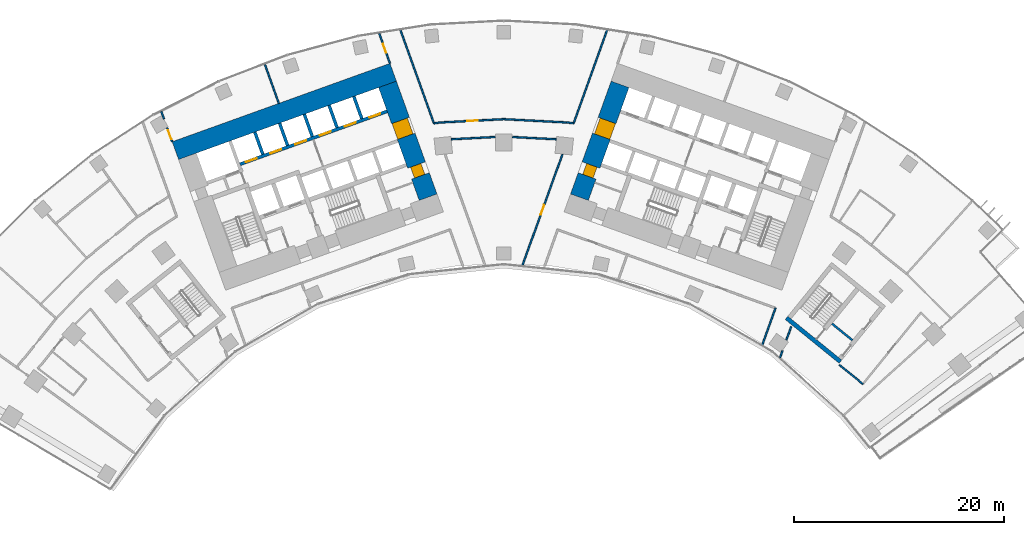
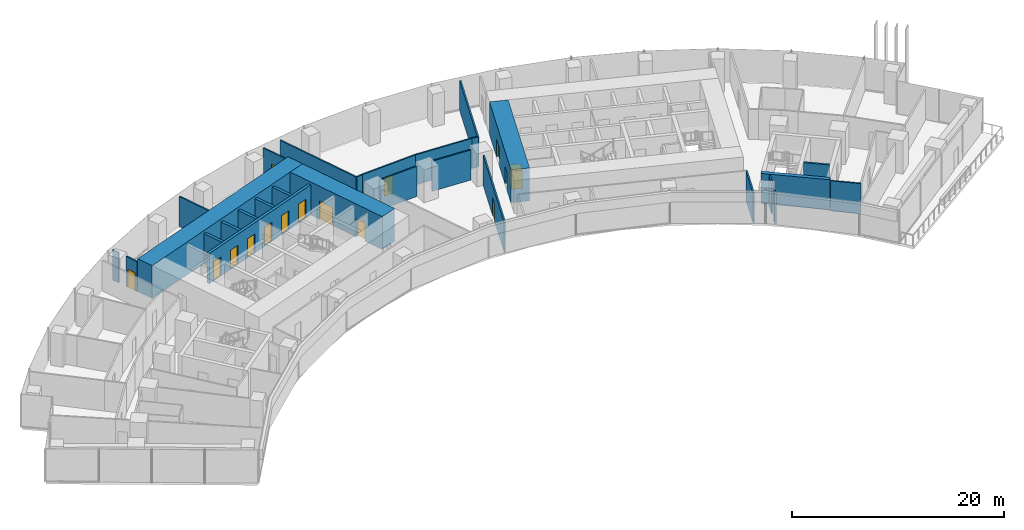
# One storey, part 16 of 21: 28 walls, 14 doors, 14 openings.
"""IFC4 building model written with IfcOpenShell, lengths in metres."""

from ifc_helpers import new_model, si_unit, direction, frame, frame_2d, origin, place, context, subcontext, project, spatial, rectangle, extrude, material, layer, layer_set, type_object, element, fill, save


model = new_model("IFC4")

# Units and contexts
model_context = context("Model", 3, precision=1e-05, world=origin(), true_north=direction((0.0, 1.0)))
body_context = subcontext(model_context, "Body", "Model", "MODEL_VIEW")
ifc_project = project(units=[si_unit("LENGTHUNIT", "METRE"), si_unit("AREAUNIT", "SQUARE_METRE"), si_unit("VOLUMEUNIT", "CUBIC_METRE"), si_unit("PLANEANGLEUNIT", "RADIAN"), si_unit("MASSUNIT", "GRAM", prefix="KILO")], contexts=[model_context])

# Site, building, storey
site_placement = place(None, origin())
site = spatial("IfcSite", under=ifc_project, at=site_placement, CompositionType="ELEMENT")
building_placement = place(site_placement, origin())
building = spatial("IfcBuilding", under=site, at=building_placement, Name="Stone Belt Terrace Tower", CompositionType="ELEMENT")
storey_placement = place(building_placement, frame((0.0, 0.0, 68.0)))
storey = spatial("IfcBuildingStorey", under=building, at=storey_placement, Name="L16", CompositionType="ELEMENT", Elevation=68.0)

# Wall
ifc_material_1 = material(Name="Concrete B80", Category="concrete")
ifc_layer_1 = layer(ifc_material_1, 1.800048828125)
ifc_layer_set_1 = layer_set([ifc_layer_1], Name="Core wall 1800 B80")
wall_type_1 = type_object("IfcWallType", Name="Core wall 1800 B80", PredefinedType="SHEAR", material=ifc_layer_set_1)
wall_1_placement = place(storey_placement, frame((-31.20947265625, 54.23583984375, 0.0), z_axis=(0.0, 0.0, 1.0), x_axis=(0.940922914687, 0.338620833112, 0.0)))
element("IfcWall", 1, at=wall_1_placement, inside=storey, type_object=wall_type_1, Name="Core A wall convex L16", PredefinedType="SHEAR", context=body_context, shape_type="SweptSolid", body=[
    extrude(rectangle(XDim=22.000244140625, YDim=1.800048828125, at=frame_2d((11.0, 0.0))), origin(), (0.0, 0.0, 1.0), 3.800048828125),
])

# Wall, openings, doors
wall_2_placement = place(storey_placement, frame((-7.19091796875, 49.8076171875, 0.0), z_axis=(0.0, 0.0, 1.0), x_axis=(-0.338632255135, 0.940918804033, 0.0)))
wall_2 = element("IfcWall", 2, at=wall_2_placement, inside=storey, type_object=wall_type_1, Name="Core A wall end_b L16", PredefinedType="SHEAR", context=body_context, shape_type="SweptSolid", body=[
    extrude(rectangle(XDim=11.39990234375, YDim=1.800048828125, at=frame_2d((5.699951171875, 0.0))), origin(), (0.0, 0.0, 1.0), 3.800048828125),
])
opening_1_placement = place(wall_2_placement, frame((6.14990234375, 0.0, 0.0)))
opening_1 = element("IfcOpeningElement", 3, at=opening_1_placement, cuts=wall_2, Name="Opening L16-C04", PredefinedType="OPENING", context=body_context, shape_type="SweptSolid", body=[
    extrude(rectangle(XDim=1.60009765625, YDim=2.10009765625, at=frame_2d((0.800048828125, 1.050048828125))), frame((0.0, 0.909912109375, 0.0), z_axis=(0.0, -1.0, 0.0), x_axis=(1.0, 0.0, 0.0)), (0.0, 0.0, 1.0), 1.820068359375),
])
opening_2_placement = place(wall_2_placement, frame((2.14990234375, 0.0, 0.0)))
opening_2 = element("IfcOpeningElement", 4, at=opening_2_placement, cuts=wall_2, Name="Opening L16-C10", PredefinedType="OPENING", context=body_context, shape_type="SweptSolid", body=[
    extrude(rectangle(XDim=1.10009765625, YDim=2.10009765625, at=frame_2d((0.550048828125, 1.050048828125))), frame((0.0, 0.909912109375, 0.0), z_axis=(0.0, -1.0, 0.0), x_axis=(1.0, 0.0, 0.0)), (0.0, 0.0, 1.0), 1.820068359375),
])
ifc_material_2 = material(Name="Timber door leaf", Category="wood")
door_type_1 = type_object("IfcDoorType", Name="Core room door 1100", OperationType="SINGLE_SWING_LEFT", PredefinedType="DOOR", material=ifc_material_2)
door_1_placement = place(opening_2_placement, origin())
door_1 = element("IfcDoor", 5, at=door_1_placement, inside=storey, type_object=door_type_1, Name="Door to Accessible WC core A", OperationType="SINGLE_SWING_LEFT", OverallHeight=2.10009765625, OverallWidth=1.10009765625, PredefinedType="DOOR", context=body_context, shape_type="SweptSolid", body=[
    extrude(rectangle(XDim=1.10009765625, YDim=2.10009765625, at=frame_2d((0.550048828125, 1.050048828125))), frame((0.0, 0.60498046875, 0.0), z_axis=(0.0, -1.0, 0.0), x_axis=(1.0, 0.0, 0.0)), (0.0, 0.0, 1.0), 1.050048828125),
])
fill(opening_2, door_1)
ifc_material_3 = material(Name="Glazed aluminium door leaf", Category="aluminium")
door_type_2 = type_object("IfcDoorType", Name="Lift lobby entrance door 1600", OperationType="DOUBLE_DOOR_SINGLE_SWING", PredefinedType="DOOR", material=ifc_material_3)
door_2_placement = place(opening_1_placement, origin())
door_2 = element("IfcDoor", 6, at=door_2_placement, inside=storey, type_object=door_type_2, Name="Lift lobby entrance door core A", OperationType="DOUBLE_DOOR_SINGLE_SWING", OverallHeight=2.10009765625, OverallWidth=1.60009765625, PredefinedType="DOOR", context=body_context, shape_type="SweptSolid", body=[
    extrude(rectangle(XDim=1.60009765625, YDim=2.10009765625, at=frame_2d((0.800048828125, 1.050048828125))), frame((0.0, 0.85498046875, 0.0), z_axis=(0.0, -1.0, 0.0), x_axis=(1.0, 0.0, 0.0)), (0.0, 0.0, 1.0), 1.550048828125),
])
fill(opening_1, door_2)

wall_3_placement = place(storey_placement, frame((7.19091796875, 49.8076171875, 0.0), z_axis=(0.0, 0.0, 1.0), x_axis=(0.338632255135, 0.940918804033, 0.0)))
wall_3 = element("IfcWall", 7, at=wall_3_placement, inside=storey, type_object=wall_type_1, Name="Core B wall end_a L16", PredefinedType="SHEAR", context=body_context, shape_type="SweptSolid", body=[
    extrude(rectangle(XDim=11.39990234375, YDim=1.800048828125, at=frame_2d((5.699951171875, 0.0))), origin(), (0.0, 0.0, 1.0), 3.800048828125),
])
opening_3_placement = place(wall_3_placement, frame((6.14990234375, 0.0, 0.0)))
opening_3 = element("IfcOpeningElement", 8, at=opening_3_placement, cuts=wall_3, Name="Opening L16-C15", PredefinedType="OPENING", context=body_context, shape_type="SweptSolid", body=[
    extrude(rectangle(XDim=1.60009765625, YDim=2.10009765625, at=frame_2d((0.800048828125, 1.050048828125))), frame((0.0, 0.909912109375, 0.0), z_axis=(0.0, -1.0, 0.0), x_axis=(1.0, 0.0, 0.0)), (0.0, 0.0, 1.0), 1.820068359375),
])
opening_4_placement = place(wall_3_placement, frame((2.14990234375, 0.0, 0.0)))
opening_4 = element("IfcOpeningElement", 9, at=opening_4_placement, cuts=wall_3, Name="Opening L16-C21", PredefinedType="OPENING", context=body_context, shape_type="SweptSolid", body=[
    extrude(rectangle(XDim=1.10009765625, YDim=2.10009765625, at=frame_2d((0.550048828125, 1.050048828125))), frame((0.0, 0.909912109375, 0.0), z_axis=(0.0, -1.0, 0.0), x_axis=(1.0, 0.0, 0.0)), (0.0, 0.0, 1.0), 1.820068359375),
])
door_3_placement = place(opening_4_placement, origin())
door_3 = element("IfcDoor", 10, at=door_3_placement, inside=storey, type_object=door_type_1, Name="Door to Accessible WC core B", OperationType="SINGLE_SWING_RIGHT", OverallHeight=2.10009765625, OverallWidth=1.10009765625, PredefinedType="DOOR", context=body_context, shape_type="SweptSolid", body=[
    extrude(rectangle(XDim=1.10009765625, YDim=2.10009765625, at=frame_2d((0.550048828125, 1.050048828125))), frame((0.0, 0.44482421875, 0.0), z_axis=(0.0, -1.0, 0.0), x_axis=(1.0, 0.0, 0.0)), (0.0, 0.0, 1.0), 1.050048828125),
])
fill(opening_4, door_3)
door_4_placement = place(opening_3_placement, origin())
door_4 = element("IfcDoor", 11, at=door_4_placement, inside=storey, type_object=door_type_2, Name="Lift lobby entrance door core B", OperationType="DOUBLE_DOOR_SINGLE_SWING", OverallHeight=2.10009765625, OverallWidth=1.60009765625, PredefinedType="DOOR", context=body_context, shape_type="SweptSolid", body=[
    extrude(rectangle(XDim=1.60009765625, YDim=2.10009765625, at=frame_2d((0.800048828125, 1.050048828125))), frame((0.0, 0.69482421875, 0.0), z_axis=(0.0, -1.0, 0.0), x_axis=(1.0, 0.0, 0.0)), (0.0, 0.0, 1.0), 1.550048828125),
])
fill(opening_3, door_4)

ifc_layer_2 = layer(ifc_material_1, 0.300048828125)
ifc_layer_set_2 = layer_set([ifc_layer_2], Name="Lift shaft wall 300")
wall_type_2 = type_object("IfcWallType", Name="Lift shaft wall 300", PredefinedType="SHEAR", material=ifc_layer_set_2)
wall_4_placement = place(storey_placement, frame((-25.05810546875, 52.9423828125, 0.0), z_axis=(0.0, 0.0, 1.0), x_axis=(0.940918215764, 0.338633889685, 0.0)))
wall_4 = element("IfcWall", 12, at=wall_4_placement, inside=storey, type_object=wall_type_2, Name="Core A wall", PredefinedType="SHEAR", context=body_context, shape_type="SweptSolid", body=[
    extrude(rectangle(XDim=14.850341796875, YDim=0.300048828125, at=frame_2d((7.42529296875, 0.0))), origin(), (0.0, 0.0, 1.0), 3.47998046875),
])
opening_5_placement = place(wall_4_placement, frame((0.570068359375, 0.0, 0.0)))
opening_5 = element("IfcOpeningElement", 13, at=opening_5_placement, cuts=wall_4, Name="Opening L16-LD01", PredefinedType="OPENING", context=body_context, shape_type="SweptSolid", body=[
    extrude(rectangle(XDim=1.10009765625, YDim=2.199951171875, at=frame_2d((0.550048828125, 1.10009765625))), frame((0.0, 0.159912109375, 0.0), z_axis=(0.0, -1.0, 0.0), x_axis=(1.0, 0.0, 0.0)), (0.0, 0.0, 1.0), 0.320068359375),
])
opening_6_placement = place(wall_4_placement, frame((3.070068359375, 0.0, 0.0)))
opening_6 = element("IfcOpeningElement", 14, at=opening_6_placement, cuts=wall_4, Name="Opening L16-LD02", PredefinedType="OPENING", context=body_context, shape_type="SweptSolid", body=[
    extrude(rectangle(XDim=1.10009765625, YDim=2.199951171875, at=frame_2d((0.550048828125, 1.10009765625))), frame((0.0, 0.159912109375, 0.0), z_axis=(0.0, -1.0, 0.0), x_axis=(1.0, 0.0, 0.0)), (0.0, 0.0, 1.0), 0.320068359375),
])
opening_7_placement = place(wall_4_placement, frame((5.570068359375, 0.0, 0.0)))
opening_7 = element("IfcOpeningElement", 15, at=opening_7_placement, cuts=wall_4, Name="Opening L16-LD03", PredefinedType="OPENING", context=body_context, shape_type="SweptSolid", body=[
    extrude(rectangle(XDim=1.10009765625, YDim=2.199951171875, at=frame_2d((0.550048828125, 1.10009765625))), frame((0.0, 0.159912109375, 0.0), z_axis=(0.0, -1.0, 0.0), x_axis=(1.0, 0.0, 0.0)), (0.0, 0.0, 1.0), 0.320068359375),
])
opening_8_placement = place(wall_4_placement, frame((8.070068359375, 0.0, 0.0)))
opening_8 = element("IfcOpeningElement", 16, at=opening_8_placement, cuts=wall_4, Name="Opening L16-LD04", PredefinedType="OPENING", context=body_context, shape_type="SweptSolid", body=[
    extrude(rectangle(XDim=1.10009765625, YDim=2.199951171875, at=frame_2d((0.550048828125, 1.10009765625))), frame((0.0, 0.159912109375, 0.0), z_axis=(0.0, -1.0, 0.0), x_axis=(1.0, 0.0, 0.0)), (0.0, 0.0, 1.0), 0.320068359375),
])
opening_9_placement = place(wall_4_placement, frame((10.570068359375, 0.0, 0.0)))
opening_9 = element("IfcOpeningElement", 17, at=opening_9_placement, cuts=wall_4, Name="Opening L16-LD05", PredefinedType="OPENING", context=body_context, shape_type="SweptSolid", body=[
    extrude(rectangle(XDim=1.10009765625, YDim=2.199951171875, at=frame_2d((0.550048828125, 1.10009765625))), frame((0.0, 0.159912109375, 0.0), z_axis=(0.0, -1.0, 0.0), x_axis=(1.0, 0.0, 0.0)), (0.0, 0.0, 1.0), 0.320068359375),
])
opening_10_placement = place(wall_4_placement, frame((13.070068359375, 0.0, 0.0)))
opening_10 = element("IfcOpeningElement", 18, at=opening_10_placement, cuts=wall_4, Name="Opening L16-LD06", PredefinedType="OPENING", context=body_context, shape_type="SweptSolid", body=[
    extrude(rectangle(XDim=1.10009765625, YDim=2.199951171875, at=frame_2d((0.550048828125, 1.10009765625))), frame((0.0, 0.159912109375, 0.0), z_axis=(0.0, -1.0, 0.0), x_axis=(1.0, 0.0, 0.0)), (0.0, 0.0, 1.0), 0.320068359375),
])
ifc_material_4 = material(Name="Stainless steel door leaf", Category="steel")
door_type_3 = type_object("IfcDoorType", Name="Landing door 1100", OperationType="SLIDING_TO_LEFT", PredefinedType="DOOR", material=ifc_material_4)
door_5_placement = place(opening_5_placement, origin())
door_5 = element("IfcDoor", 19, at=door_5_placement, inside=storey, type_object=door_type_3, Name="Landing door LR1 core A", OperationType="SLIDING_TO_LEFT", OverallHeight=2.199951171875, OverallWidth=1.10009765625, PredefinedType="DOOR", context=body_context, shape_type="SweptSolid", body=[
    extrude(rectangle(XDim=1.10009765625, YDim=2.199951171875, at=frame_2d((0.550048828125, 1.10009765625))), frame((0.0, 0.02490234375, 0.0), z_axis=(0.0, -1.0, 0.0), x_axis=(1.0, 0.0, 0.0)), (0.0, 0.0, 1.0), 0.050048828125),
])
fill(opening_5, door_5)
door_6_placement = place(opening_6_placement, origin())
door_6 = element("IfcDoor", 20, at=door_6_placement, inside=storey, type_object=door_type_3, Name="Landing door LR2 core A", OperationType="SLIDING_TO_LEFT", OverallHeight=2.199951171875, OverallWidth=1.10009765625, PredefinedType="DOOR", context=body_context, shape_type="SweptSolid", body=[
    extrude(rectangle(XDim=1.10009765625, YDim=2.199951171875, at=frame_2d((0.550048828125, 1.10009765625))), frame((0.0, 0.02490234375, 0.0), z_axis=(0.0, -1.0, 0.0), x_axis=(1.0, 0.0, 0.0)), (0.0, 0.0, 1.0), 0.050048828125),
])
fill(opening_6, door_6)
door_7_placement = place(opening_7_placement, origin())
door_7 = element("IfcDoor", 21, at=door_7_placement, inside=storey, type_object=door_type_3, Name="Landing door LR3 core A", OperationType="SLIDING_TO_LEFT", OverallHeight=2.199951171875, OverallWidth=1.10009765625, PredefinedType="DOOR", context=body_context, shape_type="SweptSolid", body=[
    extrude(rectangle(XDim=1.10009765625, YDim=2.199951171875, at=frame_2d((0.550048828125, 1.10009765625))), frame((0.0, 0.02490234375, 0.0), z_axis=(0.0, -1.0, 0.0), x_axis=(1.0, 0.0, 0.0)), (0.0, 0.0, 1.0), 0.050048828125),
])
fill(opening_7, door_7)
door_8_placement = place(opening_8_placement, origin())
door_8 = element("IfcDoor", 22, at=door_8_placement, inside=storey, type_object=door_type_3, Name="Landing door LR4 core A", OperationType="SLIDING_TO_LEFT", OverallHeight=2.199951171875, OverallWidth=1.10009765625, PredefinedType="DOOR", context=body_context, shape_type="SweptSolid", body=[
    extrude(rectangle(XDim=1.10009765625, YDim=2.199951171875, at=frame_2d((0.550048828125, 1.10009765625))), frame((0.0, 0.02490234375, 0.0), z_axis=(0.0, -1.0, 0.0), x_axis=(1.0, 0.0, 0.0)), (0.0, 0.0, 1.0), 0.050048828125),
])
fill(opening_8, door_8)
door_9_placement = place(opening_9_placement, origin())
door_9 = element("IfcDoor", 23, at=door_9_placement, inside=storey, type_object=door_type_3, Name="Landing door LR5 core A", OperationType="SLIDING_TO_LEFT", OverallHeight=2.199951171875, OverallWidth=1.10009765625, PredefinedType="DOOR", context=body_context, shape_type="SweptSolid", body=[
    extrude(rectangle(XDim=1.10009765625, YDim=2.199951171875, at=frame_2d((0.550048828125, 1.10009765625))), frame((0.0, 0.02490234375, 0.0), z_axis=(0.0, -1.0, 0.0), x_axis=(1.0, 0.0, 0.0)), (0.0, 0.0, 1.0), 0.050048828125),
])
fill(opening_9, door_9)
door_10_placement = place(opening_10_placement, origin())
door_10 = element("IfcDoor", 24, at=door_10_placement, inside=storey, type_object=door_type_3, Name="Landing door LR6 core A", OperationType="SLIDING_TO_LEFT", OverallHeight=2.199951171875, OverallWidth=1.10009765625, PredefinedType="DOOR", context=body_context, shape_type="SweptSolid", body=[
    extrude(rectangle(XDim=1.10009765625, YDim=2.199951171875, at=frame_2d((0.550048828125, 1.10009765625))), frame((0.0, 0.02490234375, 0.0), z_axis=(0.0, -1.0, 0.0), x_axis=(1.0, 0.0, 0.0)), (0.0, 0.0, 1.0), 0.050048828125),
])
fill(opening_10, door_10)

# Walls
wall_5_placement = place(storey_placement, frame((-22.897705078125, 53.87939453125, 0.0), z_axis=(0.0, 0.0, 1.0), x_axis=(-0.338535034312, 0.940953787677, 0.0)))
element("IfcWall", 25, at=wall_5_placement, inside=storey, type_object=wall_type_2, Name="Core A wall", PredefinedType="SHEAR", context=body_context, shape_type="SweptSolid", body=[
    extrude(rectangle(XDim=2.25, YDim=0.300048828125, at=frame_2d((1.125, 0.0))), origin(), (0.0, 0.0, 1.0), 3.47998046875),
])
wall_6_placement = place(storey_placement, frame((-20.54541015625, 54.72607421875, 0.0), z_axis=(0.0, 0.0, 1.0), x_axis=(-0.338569601369, 0.940941350472, 0.0)))
element("IfcWall", 26, at=wall_6_placement, inside=storey, type_object=wall_type_2, Name="Core A wall", PredefinedType="SHEAR", context=body_context, shape_type="SweptSolid", body=[
    extrude(rectangle(XDim=2.249755859375, YDim=0.300048828125, at=frame_2d((1.125, 0.0))), origin(), (0.0, 0.0, 1.0), 3.47998046875),
])
wall_7_placement = place(storey_placement, frame((-18.193115234375, 55.572509765625, 0.0), z_axis=(0.0, 0.0, 1.0), x_axis=(-0.338535034312, 0.940953787677, 0.0)))
element("IfcWall", 27, at=wall_7_placement, inside=storey, type_object=wall_type_2, Name="Core A wall", PredefinedType="SHEAR", context=body_context, shape_type="SweptSolid", body=[
    extrude(rectangle(XDim=2.25, YDim=0.300048828125, at=frame_2d((1.125, 0.0))), origin(), (0.0, 0.0, 1.0), 3.47998046875),
])
wall_8_placement = place(storey_placement, frame((-15.8408203125, 56.419189453125, 0.0), z_axis=(0.0, 0.0, 1.0), x_axis=(-0.338569601369, 0.940941350472, 0.0)))
element("IfcWall", 28, at=wall_8_placement, inside=storey, type_object=wall_type_2, Name="Core A wall", PredefinedType="SHEAR", context=body_context, shape_type="SweptSolid", body=[
    extrude(rectangle(XDim=2.249755859375, YDim=0.300048828125, at=frame_2d((1.125, 0.0))), origin(), (0.0, 0.0, 1.0), 3.47998046875),
])
wall_9_placement = place(storey_placement, frame((-13.48828125, 57.265625, 0.0), z_axis=(0.0, 0.0, 1.0), x_axis=(-0.338631098537, 0.940919220286, 0.0)))
element("IfcWall", 29, at=wall_9_placement, inside=storey, type_object=wall_type_2, Name="Core A wall", PredefinedType="SHEAR", context=body_context, shape_type="SweptSolid", body=[
    extrude(rectangle(XDim=2.250244140625, YDim=0.300048828125, at=frame_2d((1.125, 0.0))), origin(), (0.0, 0.0, 1.0), 3.47998046875),
])
ifc_material_5 = material(Name="Gypsum board partition")
ifc_layer_3 = layer(ifc_material_5, 0.14990234375)
ifc_layer_set_3 = layer_set([ifc_layer_3], Name="PARTITION 150 EI 60")
wall_type_3 = type_object("IfcWallType", Name="PARTITION 150 EI 60", PredefinedType="PARTITIONING", material=ifc_layer_set_3)
wall_10_placement = place(storey_placement, frame((-32.5458984375, 57.947998046875, 0.0), z_axis=(0.0, 0.0, 1.0), x_axis=(0.338960201827, -0.940800712998, 0.0)))
element("IfcWall", 30, at=wall_10_placement, inside=storey, type_object=wall_type_3, Name="L16/wall/i002", PredefinedType="PARTITIONING", context=body_context, shape_type="SweptSolid", body=[
    extrude(rectangle(XDim=0.754150390625, YDim=0.14990234375, at=frame_2d((0.376953125, 0.0))), origin(), (0.0, 0.0, 1.0), 3.47998046875),
])

# Wall, opening, door
wall_11_placement = place(storey_placement, frame((-31.98681640625, 56.39599609375, 0.0), z_axis=(0.0, 0.0, 1.0), x_axis=(0.338861945182, -0.940836107995, 0.0)))
wall_11 = element("IfcWall", 31, at=wall_11_placement, inside=storey, type_object=wall_type_3, Name="L16/wall/i003", PredefinedType="PARTITIONING", context=body_context, shape_type="SweptSolid", body=[
    extrude(rectangle(XDim=1.3955078125, YDim=0.14990234375, at=frame_2d((0.69775390625, 0.0))), origin(), (0.0, 0.0, 1.0), 3.47998046875),
])
opening_11_placement = place(wall_11_placement, frame((0.247802734375, 0.0, 0.0)))
opening_11 = element("IfcOpeningElement", 32, at=opening_11_placement, cuts=wall_11, Name="Opening D-A5-03", PredefinedType="OPENING", context=body_context, shape_type="SweptSolid", body=[
    extrude(rectangle(XDim=0.89990234375, YDim=2.10009765625, at=frame_2d((0.449951171875, 1.050048828125))), frame((0.0, 0.0849609375, 0.0), z_axis=(0.0, -1.0, 0.0), x_axis=(1.0, 0.0, 0.0)), (0.0, 0.0, 1.0), 0.169921875),
])
door_type_4 = type_object("IfcDoorType", Name="OFFICE DOOR 900 X 2100", OperationType="NOTDEFINED", PredefinedType="DOOR", material=ifc_material_2)
door_11_placement = place(opening_11_placement, origin())
door_11 = element("IfcDoor", 33, at=door_11_placement, inside=storey, type_object=door_type_4, Name="L16/door/i03", OperationType="SINGLE_SWING_RIGHT", OverallHeight=2.10009765625, OverallWidth=0.89990234375, PredefinedType="DOOR", context=body_context, shape_type="SweptSolid", body=[
    extrude(rectangle(XDim=0.89990234375, YDim=2.10009765625, at=frame_2d((0.449951171875, 1.050048828125))), frame((0.0, 0.02490234375, 0.0), z_axis=(0.0, -1.0, 0.0), x_axis=(1.0, 0.0, 0.0)), (0.0, 0.0, 1.0), 0.050048828125),
])
fill(opening_11, door_11)

wall_12_placement = place(storey_placement, frame((-10.81396484375, 62.531982421875, 0.0), z_axis=(0.0, 0.0, 1.0), x_axis=(-0.338526810165, 0.940956746508, 0.0)))
wall_12 = element("IfcWall", 34, at=wall_12_placement, inside=storey, type_object=wall_type_3, Name="L16/wall/i009", PredefinedType="PARTITIONING", context=body_context, shape_type="SweptSolid", body=[
    extrude(rectangle(XDim=3.006591796875, YDim=0.14990234375, at=frame_2d((1.50341796875, 0.0))), origin(), (0.0, 0.0, 1.0), 3.47998046875),
])
opening_12_placement = place(wall_12_placement, frame((1.05322265625, 0.0, 0.0)))
opening_12 = element("IfcOpeningElement", 35, at=opening_12_placement, cuts=wall_12, Name="Opening D-A5-04", PredefinedType="OPENING", context=body_context, shape_type="SweptSolid", body=[
    extrude(rectangle(XDim=0.89990234375, YDim=2.10009765625, at=frame_2d((0.449951171875, 1.050048828125))), frame((0.0, 0.0849609375, 0.0), z_axis=(0.0, -1.0, 0.0), x_axis=(1.0, 0.0, 0.0)), (0.0, 0.0, 1.0), 0.169921875),
])
door_12_placement = place(opening_12_placement, origin())
door_12 = element("IfcDoor", 36, at=door_12_placement, inside=storey, type_object=door_type_4, Name="L16/door/i04", OperationType="SINGLE_SWING_RIGHT", OverallHeight=2.10009765625, OverallWidth=0.89990234375, PredefinedType="DOOR", context=body_context, shape_type="SweptSolid", body=[
    extrude(rectangle(XDim=0.89990234375, YDim=2.10009765625, at=frame_2d((0.449951171875, 1.050048828125))), frame((0.0, 0.02490234375, 0.0), z_axis=(0.0, -1.0, 0.0), x_axis=(1.0, 0.0, 0.0)), (0.0, 0.0, 1.0), 0.050048828125),
])
fill(opening_12, door_12)

# Walls
wall_13_placement = place(storey_placement, frame((-9.8212890625, 65.68115234375, 0.0), z_axis=(0.0, 0.0, 1.0), x_axis=(0.338561511742, -0.940944261243, 0.0)))
element("IfcWall", 37, at=wall_13_placement, inside=storey, type_object=wall_type_3, Name="L16/wall/i011", PredefinedType="PARTITIONING", context=body_context, shape_type="SweptSolid", body=[
    extrude(rectangle(XDim=9.4140625, YDim=0.14990234375, at=frame_2d((4.70703125, 0.0))), origin(), (0.0, 0.0, 1.0), 3.47998046875),
])
wall_14_placement = place(storey_placement, frame((-22.700927734375, 62.419189453125, 0.0), z_axis=(0.0, 0.0, 1.0), x_axis=(0.338604747602, -0.94092870341, 0.0)))
element("IfcWall", 38, at=wall_14_placement, inside=storey, type_object=wall_type_3, Name="L16/wall/i016", PredefinedType="PARTITIONING", context=body_context, shape_type="SweptSolid", body=[
    extrude(rectangle(XDim=3.918701171875, YDim=0.14990234375, at=frame_2d((1.95947265625, 0.0))), origin(), (0.0, 0.0, 1.0), 3.47998046875),
])

# Wall, opening, door
wall_15_placement = place(storey_placement, frame((1.771484375, 43.313720703125, 0.0), z_axis=(0.0, 0.0, 1.0), x_axis=(0.338622486498, 0.940922319662, 0.0)))
wall_15 = element("IfcWall", 39, at=wall_15_placement, inside=storey, type_object=wall_type_3, Name="L16/wall/i019", PredefinedType="PARTITIONING", context=body_context, shape_type="SweptSolid", body=[
    extrude(rectangle(XDim=11.232177734375, YDim=0.14990234375, at=frame_2d((5.6162109375, 0.0))), origin(), (0.0, 0.0, 1.0), 3.47998046875),
])
opening_13_placement = place(wall_15_placement, frame((5.1162109375, 0.0, 0.0)))
opening_13 = element("IfcOpeningElement", 40, at=opening_13_placement, cuts=wall_15, Name="Opening D-A5-24", PredefinedType="OPENING", context=body_context, shape_type="SweptSolid", body=[
    extrude(rectangle(XDim=1.0, YDim=2.10009765625, at=frame_2d((0.5, 1.050048828125))), frame((0.0, 0.0849609375, 0.0), z_axis=(0.0, -1.0, 0.0), x_axis=(1.0, 0.0, 0.0)), (0.0, 0.0, 1.0), 0.169921875),
])
ifc_material_6 = material(Name="Timber fire door leaf", Category="wood")
door_type_5 = type_object("IfcDoorType", Name="TENANCY ENTRANCE DOOR 1000 X 2100", OperationType="NOTDEFINED", PredefinedType="DOOR", material=ifc_material_6)
door_13_placement = place(opening_13_placement, origin())
door_13 = element("IfcDoor", 41, at=door_13_placement, inside=storey, type_object=door_type_5, Name="L16/door/i24", OperationType="SINGLE_SWING_LEFT", OverallHeight=2.10009765625, OverallWidth=1.0, PredefinedType="DOOR", context=body_context, shape_type="SweptSolid", body=[
    extrude(rectangle(XDim=1.0, YDim=2.10009765625, at=frame_2d((0.5, 1.050048828125))), frame((0.0, 0.02490234375, 0.0), z_axis=(0.0, -1.0, 0.0), x_axis=(1.0, 0.0, 0.0)), (0.0, 0.0, 1.0), 0.050048828125),
])
fill(opening_13, door_13)

# Walls
wall_16_placement = place(storey_placement, frame((6.634033203125, 56.822998046875, 0.0), z_axis=(0.0, 0.0, 1.0), x_axis=(0.338561511742, 0.940944261243, 0.0)))
element("IfcWall", 42, at=wall_16_placement, inside=storey, type_object=wall_type_3, Name="L16/wall/i020", PredefinedType="PARTITIONING", context=body_context, shape_type="SweptSolid", body=[
    extrude(rectangle(XDim=9.4140625, YDim=0.14990234375, at=frame_2d((4.70703125, 0.0))), origin(), (0.0, 0.0, 1.0), 3.47998046875),
])
wall_17_placement = place(storey_placement, frame((24.56494140625, 35.771728515625, 0.0), z_axis=(0.0, 0.0, 1.0), x_axis=(0.338392582605, 0.941005026574, 0.0)))
element("IfcWall", 43, at=wall_17_placement, inside=storey, type_object=wall_type_3, Name="L16/wall/i021", PredefinedType="PARTITIONING", context=body_context, shape_type="SweptSolid", body=[
    extrude(rectangle(XDim=3.729248046875, YDim=0.14990234375, at=frame_2d((1.86474609375, 0.0))), origin(), (0.0, 0.0, 1.0), 3.47998046875),
])
wall_18_placement = place(storey_placement, frame((27.320068359375, 37.52099609375, 0.0), z_axis=(0.0, 0.0, 1.0), x_axis=(-0.339003916963, -0.940784961765, 0.0)))
element("IfcWall", 44, at=wall_18_placement, inside=storey, type_object=wall_type_3, Name="L16/wall/i024", PredefinedType="PARTITIONING", context=body_context, shape_type="SweptSolid", body=[
    extrude(rectangle(XDim=1.36767578125, YDim=0.14990234375, at=frame_2d((0.683837890625, 0.0))), origin(), (0.0, 0.0, 1.0), 3.47998046875),
])
wall_19_placement = place(storey_placement, frame((26.490478515625, 35.21923828125, 0.0), z_axis=(0.0, 0.0, 1.0), x_axis=(-0.338920531705, -0.940815004764, 0.0)))
element("IfcWall", 45, at=wall_19_placement, inside=storey, type_object=wall_type_3, Name="L16/wall/i025", PredefinedType="PARTITIONING", context=body_context, shape_type="SweptSolid", body=[
    extrude(rectangle(XDim=0.68798828125, YDim=0.14990234375, at=frame_2d((0.343994140625, 0.0))), origin(), (0.0, 0.0, 1.0), 3.47998046875),
])
wall_20_placement = place(storey_placement, frame((34.133056640625, 32.055908203125, 0.0), z_axis=(0.0, 0.0, 1.0), x_axis=(-0.776369956068, 0.630277471686, 0.0)))
element("IfcWall", 46, at=wall_20_placement, inside=storey, type_object=wall_type_3, Name="L16/wall/i069", PredefinedType="PARTITIONING", context=body_context, shape_type="SweptSolid", body=[
    extrude(rectangle(XDim=2.8876953125, YDim=0.14990234375, at=frame_2d((1.44384765625, 0.0))), origin(), (0.0, 0.0, 1.0), 3.47998046875),
])
for number, where, z_axis, x_axis, name in (
    (47, (4.979248046875, 55.314453125, 0.0), (0.0, 0.0, 1.0), (-0.998634659291, 0.052238082501, 0.0), "L16/wall/i075"),
    (48, (-0.830078125, 55.531494140625, 0.0), (0.0, 0.0, 1.0), (-0.998634659291, -0.052238082501, 0.0), "L16/wall/i076"),
):
    element("IfcWall", number, at=place(storey_placement, frame(where, z_axis=z_axis, x_axis=x_axis)), inside=storey, type_object=wall_type_3, Name=name, PredefinedType="PARTITIONING", context=body_context, shape_type="SweptSolid", body=[
        extrude(rectangle(XDim=4.15478515625, YDim=0.14990234375, at=frame_2d((2.077392578125, 0.0))), origin(), (0.0, 0.0, 1.0), 3.47998046875),
    ])
wall_21_placement = place(storey_placement, frame((-6.635986328125, 56.8291015625, 0.0), z_axis=(0.0, 0.0, 1.0), x_axis=(0.992042541351, 0.125903122083, 0.0)))
element("IfcWall", 49, at=wall_21_placement, inside=storey, type_object=wall_type_3, Name="L16/wall/i077", PredefinedType="PARTITIONING", context=body_context, shape_type="SweptSolid", body=[
    extrude(rectangle(XDim=0.6591796875, YDim=0.14990234375, at=frame_2d((0.32958984375, 0.0))), origin(), (0.0, 0.0, 1.0), 3.47998046875),
])

# Wall, opening, door
wall_22_placement = place(storey_placement, frame((-5.98193359375, 56.912109375, 0.0), z_axis=(0.0, 0.0, 1.0), x_axis=(0.998633994648, 0.052250786921, 0.0)))
wall_22 = element("IfcWall", 50, at=wall_22_placement, inside=storey, type_object=wall_type_3, Name="L16/wall/i078", PredefinedType="PARTITIONING", context=body_context, shape_type="SweptSolid", body=[
    extrude(rectangle(XDim=5.990234375, YDim=0.14990234375, at=frame_2d((2.9951171875, 0.0))), origin(), (0.0, 0.0, 1.0), 3.47998046875),
])
opening_14_placement = place(wall_22_placement, frame((2.4951171875, 0.0, 0.0)))
opening_14 = element("IfcOpeningElement", 51, at=opening_14_placement, cuts=wall_22, Name="Opening D-A5-25", PredefinedType="OPENING", context=body_context, shape_type="SweptSolid", body=[
    extrude(rectangle(XDim=1.0, YDim=2.10009765625, at=frame_2d((0.5, 1.050048828125))), frame((0.0, 0.0849609375, 0.0), z_axis=(0.0, -1.0, 0.0), x_axis=(1.0, 0.0, 0.0)), (0.0, 0.0, 1.0), 0.169921875),
])
door_14_placement = place(opening_14_placement, origin())
door_14 = element("IfcDoor", 52, at=door_14_placement, inside=storey, type_object=door_type_5, Name="L16/door/i25", OperationType="SINGLE_SWING_RIGHT", OverallHeight=2.10009765625, OverallWidth=1.0, PredefinedType="DOOR", context=body_context, shape_type="SweptSolid", body=[
    extrude(rectangle(XDim=1.0, YDim=2.10009765625, at=frame_2d((0.5, 1.050048828125))), frame((0.0, 0.02490234375, 0.0), z_axis=(0.0, -1.0, 0.0), x_axis=(1.0, 0.0, 0.0)), (0.0, 0.0, 1.0), 0.050048828125),
])
fill(opening_14, door_14)

# Walls
wall_23_placement = place(storey_placement, frame((0.0, 57.22509765625, 0.0), z_axis=(0.0, 0.0, 1.0), x_axis=(0.998633994648, -0.052250786921, 0.0)))
element("IfcWall", 53, at=wall_23_placement, inside=storey, type_object=wall_type_3, Name="L16/wall/i079", PredefinedType="PARTITIONING", context=body_context, shape_type="SweptSolid", body=[
    extrude(rectangle(XDim=5.990234375, YDim=0.14990234375, at=frame_2d((2.9951171875, 0.0))), origin(), (0.0, 0.0, 1.0), 3.47998046875),
])
wall_24_placement = place(storey_placement, frame((5.98193359375, 56.912109375, 0.0), z_axis=(0.0, 0.0, 1.0), x_axis=(0.992042541351, -0.125903122083, 0.0)))
element("IfcWall", 54, at=wall_24_placement, inside=storey, type_object=wall_type_3, Name="L16/wall/i080", PredefinedType="PARTITIONING", context=body_context, shape_type="SweptSolid", body=[
    extrude(rectangle(XDim=0.6591796875, YDim=0.14990234375, at=frame_2d((0.32958984375, 0.0))), origin(), (0.0, 0.0, 1.0), 3.47998046875),
])
ifc_material_7 = material(Name="Concrete masonry block", Category="masonry")
ifc_layer_4 = layer(ifc_material_7, 0.199951171875)
ifc_layer_set_4 = layer_set([ifc_layer_4], Name="Rated lobby wall 200")
wall_type_4 = type_object("IfcWallType", Name="Rated lobby wall 200", PredefinedType="PARTITIONING", material=ifc_layer_set_4)
wall_25_placement = place(storey_placement, frame((31.190673828125, 37.79296875, 0.0), z_axis=(0.0, 0.0, 1.0), x_axis=(0.776370830301, -0.630276394813, 0.0)))
element("IfcWall", 55, at=wall_25_placement, inside=storey, type_object=wall_type_4, Name="Exit stair ST3B wall", PredefinedType="PARTITIONING", context=body_context, shape_type="SweptSolid", body=[
    extrude(rectangle(XDim=2.5, YDim=0.199951171875, at=frame_2d((1.25, 0.0))), origin(), (0.0, 0.0, 1.0), 3.47998046875),
])
ifc_layer_5 = layer(ifc_material_1, 0.39990234375)
ifc_layer_set_5 = layer_set([ifc_layer_5], Name="Stair enclosure wall 400")
wall_type_5 = type_object("IfcWallType", Name="Stair enclosure wall 400", PredefinedType="SHEAR", material=ifc_layer_set_5)
wall_26_placement = place(storey_placement, frame((26.868408203125, 38.3388671875, 0.0), z_axis=(0.0, 0.0, 1.0), x_axis=(0.776428452498, -0.630205409491, 0.0)))
element("IfcWall", 56, at=wall_26_placement, inside=storey, type_object=wall_type_5, Name="Exit stair ST3B wall", PredefinedType="SHEAR", context=body_context, shape_type="SweptSolid", body=[
    extrude(rectangle(XDim=6.60009765625, YDim=0.39990234375, at=frame_2d((3.300048828125, 0.0))), origin(), (0.0, 0.0, 1.0), 3.47998046875),
])

save(model, "model.ifc")
